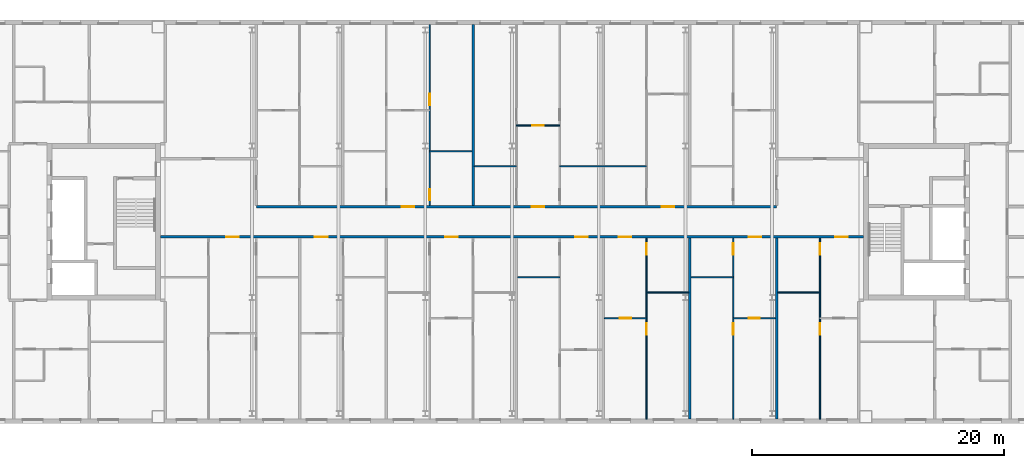
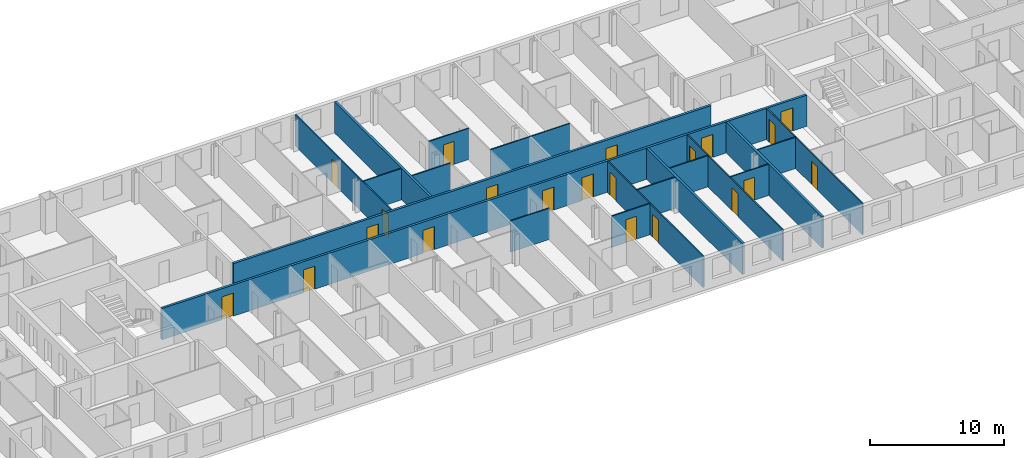
# One storey, part 11 of 19: 21 doors, 19 walls, 21 openings.
"""IFC4 building model written with IfcOpenShell, lengths in metres."""

from ifc_helpers import new_model, si_unit, direction, frame, frame_2d, origin, place, context, subcontext, project, spatial, rectangle, extrude, material, layer, layer_set, type_object, element, fill, save


model = new_model("IFC4")

# Units and contexts
model_context = context("Model", 3, precision=1e-05, world=origin(), true_north=direction((0.0, 1.0)))
body_context = subcontext(model_context, "Body", "Model", "MODEL_VIEW")
ifc_project = project(units=[si_unit("LENGTHUNIT", "METRE"), si_unit("AREAUNIT", "SQUARE_METRE"), si_unit("VOLUMEUNIT", "CUBIC_METRE"), si_unit("PLANEANGLEUNIT", "RADIAN"), si_unit("MASSUNIT", "GRAM", prefix="KILO")], contexts=[model_context])

# Site, building, storey
site_placement = place(None, origin())
site = spatial("IfcSite", under=ifc_project, at=site_placement, CompositionType="ELEMENT")
building_placement = place(site_placement, origin())
building = spatial("IfcBuilding", under=site, at=building_placement, Name="Tuart Gate Housing", CompositionType="ELEMENT")
storey_placement = place(building_placement, frame((0.0, 0.0, 230.699951171875)))
storey = spatial("IfcBuildingStorey", under=building, at=storey_placement, Name="L65", CompositionType="ELEMENT", Elevation=230.699951171875)

# Wall, openings, doors
ifc_material_1 = material(Name="Concrete masonry 15 MPa", Category="masonry")
ifc_layer_1 = layer(ifc_material_1, 0.199951171875)
ifc_layer_set_1 = layer_set([ifc_layer_1], Name="Corridor wall masonry 200")
wall_type_1 = type_object("IfcWallType", Name="Corridor wall masonry 200", PredefinedType="PARTITIONING", material=ifc_layer_set_1)
wall_1_placement = place(storey_placement, frame((75.639892578125, 68.800048828125, 0.0), z_axis=(0.0, 0.0, 1.0), x_axis=(1.0, 0.0, 0.0)))
wall_1 = element("IfcWall", 1, at=wall_1_placement, inside=storey, type_object=wall_type_1, Name="Corridor wall masonry 200", PredefinedType="PARTITIONING", context=body_context, shape_type="SweptSolid", body=[
    extrude(rectangle(XDim=55.72021484375, YDim=0.199951171875, at=frame_2d((27.860107421875, 0.0))), origin(), (0.0, 0.0, 1.0), 2.85009765625),
])
opening_1_placement = place(wall_1_placement, frame((5.19140625, 0.0, 0.0)))
opening_1 = element("IfcOpeningElement", 2, at=opening_1_placement, cuts=wall_1, Name="Opening D2525", PredefinedType="OPENING", context=body_context, shape_type="SweptSolid", body=[
    extrude(rectangle(XDim=1.0, YDim=2.10009765625, at=frame_2d((0.5, 1.050048828125))), frame((0.0, 0.10986328125, 0.0), z_axis=(0.0, -1.0, 0.0), x_axis=(1.0, 0.0, 0.0)), (0.0, 0.0, 1.0), 0.219970703125),
])
opening_2_placement = place(wall_1_placement, frame((12.240966796875, 0.0, 0.0)))
opening_2 = element("IfcOpeningElement", 3, at=opening_2_placement, cuts=wall_1, Name="Opening D2526", PredefinedType="OPENING", context=body_context, shape_type="SweptSolid", body=[
    extrude(rectangle(XDim=1.0, YDim=2.10009765625, at=frame_2d((0.5, 1.050048828125))), frame((0.0, 0.10986328125, 0.0), z_axis=(0.0, -1.0, 0.0), x_axis=(1.0, 0.0, 0.0)), (0.0, 0.0, 1.0), 0.219970703125),
])
opening_3_placement = place(wall_1_placement, frame((22.553466796875, 0.0, 0.0)))
opening_3 = element("IfcOpeningElement", 4, at=opening_3_placement, cuts=wall_1, Name="Opening D2527", PredefinedType="OPENING", context=body_context, shape_type="SweptSolid", body=[
    extrude(rectangle(XDim=1.0, YDim=2.10009765625, at=frame_2d((0.5, 1.050048828125))), frame((0.0, 0.10986328125, 0.0), z_axis=(0.0, -1.0, 0.0), x_axis=(1.0, 0.0, 0.0)), (0.0, 0.0, 1.0), 0.219970703125),
])
opening_4_placement = place(wall_1_placement, frame((32.865966796875, 0.0, 0.0)))
opening_4 = element("IfcOpeningElement", 5, at=opening_4_placement, cuts=wall_1, Name="Opening D2528", PredefinedType="OPENING", context=body_context, shape_type="SweptSolid", body=[
    extrude(rectangle(XDim=1.0, YDim=2.10009765625, at=frame_2d((0.5, 1.050048828125))), frame((0.0, 0.10986328125, 0.0), z_axis=(0.0, -1.0, 0.0), x_axis=(1.0, 0.0, 0.0)), (0.0, 0.0, 1.0), 0.219970703125),
])
opening_5_placement = place(wall_1_placement, frame((36.303466796875, 0.0, 0.0)))
opening_5 = element("IfcOpeningElement", 6, at=opening_5_placement, cuts=wall_1, Name="Opening D2529", PredefinedType="OPENING", context=body_context, shape_type="SweptSolid", body=[
    extrude(rectangle(XDim=1.0, YDim=2.10009765625, at=frame_2d((0.5, 1.050048828125))), frame((0.0, 0.10986328125, 0.0), z_axis=(0.0, -1.0, 0.0), x_axis=(1.0, 0.0, 0.0)), (0.0, 0.0, 1.0), 0.219970703125),
])
opening_6_placement = place(wall_1_placement, frame((46.615966796875, 0.0, 0.0)))
opening_6 = element("IfcOpeningElement", 7, at=opening_6_placement, cuts=wall_1, Name="Opening D2530", PredefinedType="OPENING", context=body_context, shape_type="SweptSolid", body=[
    extrude(rectangle(XDim=1.0, YDim=2.10009765625, at=frame_2d((0.5, 1.050048828125))), frame((0.0, 0.10986328125, 0.0), z_axis=(0.0, -1.0, 0.0), x_axis=(1.0, 0.0, 0.0)), (0.0, 0.0, 1.0), 0.219970703125),
])
opening_7_placement = place(wall_1_placement, frame((53.49609375, 0.0, 0.0)))
opening_7 = element("IfcOpeningElement", 8, at=opening_7_placement, cuts=wall_1, Name="Opening D2531", PredefinedType="OPENING", context=body_context, shape_type="SweptSolid", body=[
    extrude(rectangle(XDim=1.0, YDim=2.10009765625, at=frame_2d((0.5, 1.050048828125))), frame((0.0, 0.10986328125, 0.0), z_axis=(0.0, -1.0, 0.0), x_axis=(1.0, 0.0, 0.0)), (0.0, 0.0, 1.0), 0.219970703125),
])
ifc_material_2 = material(Name="Timber door leaf in steel frame", Category="steel")
door_type_1 = type_object("IfcDoorType", Name="Flat entrance door 1000 RH", OperationType="SINGLE_SWING_RIGHT", PredefinedType="DOOR", material=ifc_material_2)
door_1_placement = place(opening_1_placement, frame((1.0, 0.0, 0.0), z_axis=(0.0, 0.0, 1.0), x_axis=(-1.0, 0.0, 0.0)))
door_1 = element("IfcDoor", 9, at=door_1_placement, inside=storey, type_object=door_type_1, Name="Flat entrance door", OperationType="SINGLE_SWING_RIGHT", OverallHeight=2.10009765625, OverallWidth=1.0, PredefinedType="DOOR", context=body_context, shape_type="SweptSolid", body=[
    extrude(rectangle(XDim=1.0, YDim=2.10009765625, at=frame_2d((0.5, 1.050048828125))), frame((0.0, 0.025146484375, 0.0), z_axis=(0.0, -1.0, 0.0), x_axis=(1.0, 0.0, 0.0)), (0.0, 0.0, 1.0), 0.050048828125),
])
fill(opening_1, door_1)
door_2_placement = place(opening_2_placement, frame((1.0, 0.0, 0.0), z_axis=(0.0, 0.0, 1.0), x_axis=(-1.0, 0.0, 0.0)))
door_2 = element("IfcDoor", 10, at=door_2_placement, inside=storey, type_object=door_type_1, Name="Flat entrance door", OperationType="SINGLE_SWING_RIGHT", OverallHeight=2.10009765625, OverallWidth=1.0, PredefinedType="DOOR", context=body_context, shape_type="SweptSolid", body=[
    extrude(rectangle(XDim=1.0, YDim=2.10009765625, at=frame_2d((0.5, 1.050048828125))), frame((0.0, 0.025146484375, 0.0), z_axis=(0.0, -1.0, 0.0), x_axis=(1.0, 0.0, 0.0)), (0.0, 0.0, 1.0), 0.050048828125),
])
fill(opening_2, door_2)
door_3_placement = place(opening_3_placement, frame((1.0, 0.0, 0.0), z_axis=(0.0, 0.0, 1.0), x_axis=(-1.0, 0.0, 0.0)))
door_3 = element("IfcDoor", 11, at=door_3_placement, inside=storey, type_object=door_type_1, Name="Flat entrance door", OperationType="SINGLE_SWING_RIGHT", OverallHeight=2.10009765625, OverallWidth=1.0, PredefinedType="DOOR", context=body_context, shape_type="SweptSolid", body=[
    extrude(rectangle(XDim=1.0, YDim=2.10009765625, at=frame_2d((0.5, 1.050048828125))), frame((0.0, 0.025146484375, 0.0), z_axis=(0.0, -1.0, 0.0), x_axis=(1.0, 0.0, 0.0)), (0.0, 0.0, 1.0), 0.050048828125),
])
fill(opening_3, door_3)
door_4_placement = place(opening_4_placement, frame((1.0, 0.0, 0.0), z_axis=(0.0, 0.0, 1.0), x_axis=(-1.0, 0.0, 0.0)))
door_4 = element("IfcDoor", 12, at=door_4_placement, inside=storey, type_object=door_type_1, Name="Flat entrance door", OperationType="SINGLE_SWING_RIGHT", OverallHeight=2.10009765625, OverallWidth=1.0, PredefinedType="DOOR", context=body_context, shape_type="SweptSolid", body=[
    extrude(rectangle(XDim=1.0, YDim=2.10009765625, at=frame_2d((0.5, 1.050048828125))), frame((0.0, 0.025146484375, 0.0), z_axis=(0.0, -1.0, 0.0), x_axis=(1.0, 0.0, 0.0)), (0.0, 0.0, 1.0), 0.050048828125),
])
fill(opening_4, door_4)
door_5_placement = place(opening_5_placement, frame((1.0, 0.0, 0.0), z_axis=(0.0, 0.0, 1.0), x_axis=(-1.0, 0.0, 0.0)))
door_5 = element("IfcDoor", 13, at=door_5_placement, inside=storey, type_object=door_type_1, Name="Flat entrance door", OperationType="SINGLE_SWING_RIGHT", OverallHeight=2.10009765625, OverallWidth=1.0, PredefinedType="DOOR", context=body_context, shape_type="SweptSolid", body=[
    extrude(rectangle(XDim=1.0, YDim=2.10009765625, at=frame_2d((0.5, 1.050048828125))), frame((0.0, 0.025146484375, 0.0), z_axis=(0.0, -1.0, 0.0), x_axis=(1.0, 0.0, 0.0)), (0.0, 0.0, 1.0), 0.050048828125),
])
fill(opening_5, door_5)
door_6_placement = place(opening_6_placement, frame((1.0, 0.0, 0.0), z_axis=(0.0, 0.0, 1.0), x_axis=(-1.0, 0.0, 0.0)))
door_6 = element("IfcDoor", 14, at=door_6_placement, inside=storey, type_object=door_type_1, Name="Flat entrance door", OperationType="SINGLE_SWING_RIGHT", OverallHeight=2.10009765625, OverallWidth=1.0, PredefinedType="DOOR", context=body_context, shape_type="SweptSolid", body=[
    extrude(rectangle(XDim=1.0, YDim=2.10009765625, at=frame_2d((0.5, 1.050048828125))), frame((0.0, 0.025146484375, 0.0), z_axis=(0.0, -1.0, 0.0), x_axis=(1.0, 0.0, 0.0)), (0.0, 0.0, 1.0), 0.050048828125),
])
fill(opening_6, door_6)
door_7_placement = place(opening_7_placement, frame((1.0, 0.0, 0.0), z_axis=(0.0, 0.0, 1.0), x_axis=(-1.0, 0.0, 0.0)))
door_7 = element("IfcDoor", 15, at=door_7_placement, inside=storey, type_object=door_type_1, Name="Flat entrance door", OperationType="SINGLE_SWING_RIGHT", OverallHeight=2.10009765625, OverallWidth=1.0, PredefinedType="DOOR", context=body_context, shape_type="SweptSolid", body=[
    extrude(rectangle(XDim=1.0, YDim=2.10009765625, at=frame_2d((0.5, 1.050048828125))), frame((0.0, 0.025146484375, 0.0), z_axis=(0.0, -1.0, 0.0), x_axis=(1.0, 0.0, 0.0)), (0.0, 0.0, 1.0), 0.050048828125),
])
fill(opening_7, door_7)

wall_2_placement = place(storey_placement, frame((83.22509765625, 71.199951171875, 0.0), z_axis=(0.0, 0.0, 1.0), x_axis=(1.0, 0.0, 0.0)))
wall_2 = element("IfcWall", 16, at=wall_2_placement, inside=storey, type_object=wall_type_1, Name="Corridor wall masonry 200", PredefinedType="PARTITIONING", context=body_context, shape_type="SweptSolid", body=[
    extrude(rectangle(XDim=41.25, YDim=0.199951171875, at=frame_2d((20.625, 0.0))), origin(), (0.0, 0.0, 1.0), 2.85009765625),
])
opening_8_placement = place(wall_2_placement, frame((11.531005859375, 0.0, 0.0)))
opening_8 = element("IfcOpeningElement", 17, at=opening_8_placement, cuts=wall_2, Name="Opening D2522", PredefinedType="OPENING", context=body_context, shape_type="SweptSolid", body=[
    extrude(rectangle(XDim=1.0, YDim=2.10009765625, at=frame_2d((0.5, 1.050048828125))), frame((0.0, 0.10986328125, 0.0), z_axis=(0.0, -1.0, 0.0), x_axis=(1.0, 0.0, 0.0)), (0.0, 0.0, 1.0), 0.219970703125),
])
opening_9_placement = place(wall_2_placement, frame((21.843505859375, 0.0, 0.0)))
opening_9 = element("IfcOpeningElement", 18, at=opening_9_placement, cuts=wall_2, Name="Opening D2523", PredefinedType="OPENING", context=body_context, shape_type="SweptSolid", body=[
    extrude(rectangle(XDim=1.0, YDim=2.10009765625, at=frame_2d((0.5, 1.050048828125))), frame((0.0, 0.10986328125, 0.0), z_axis=(0.0, -1.0, 0.0), x_axis=(1.0, 0.0, 0.0)), (0.0, 0.0, 1.0), 0.219970703125),
])
opening_10_placement = place(wall_2_placement, frame((32.156005859375, 0.0, 0.0)))
opening_10 = element("IfcOpeningElement", 19, at=opening_10_placement, cuts=wall_2, Name="Opening D2524", PredefinedType="OPENING", context=body_context, shape_type="SweptSolid", body=[
    extrude(rectangle(XDim=1.0, YDim=2.10009765625, at=frame_2d((0.5, 1.050048828125))), frame((0.0, 0.10986328125, 0.0), z_axis=(0.0, -1.0, 0.0), x_axis=(1.0, 0.0, 0.0)), (0.0, 0.0, 1.0), 0.219970703125),
])
ifc_material_3 = material(Name="Timber door leaf in steel frame", Category="steel")
door_type_2 = type_object("IfcDoorType", Name="Flat entrance door 1000", OperationType="SINGLE_SWING_LEFT", PredefinedType="DOOR", material=ifc_material_3)
door_8_placement = place(opening_8_placement, origin())
door_8 = element("IfcDoor", 20, at=door_8_placement, inside=storey, type_object=door_type_2, Name="Flat entrance door", OperationType="SINGLE_SWING_LEFT", OverallHeight=2.10009765625, OverallWidth=1.0, PredefinedType="DOOR", context=body_context, shape_type="SweptSolid", body=[
    extrude(rectangle(XDim=1.0, YDim=2.10009765625, at=frame_2d((0.5, 1.050048828125))), frame((0.0, 0.02490234375, 0.0), z_axis=(0.0, -1.0, 0.0), x_axis=(1.0, 0.0, 0.0)), (0.0, 0.0, 1.0), 0.050048828125),
])
fill(opening_8, door_8)
door_9_placement = place(opening_9_placement, origin())
door_9 = element("IfcDoor", 21, at=door_9_placement, inside=storey, type_object=door_type_2, Name="Flat entrance door", OperationType="SINGLE_SWING_LEFT", OverallHeight=2.10009765625, OverallWidth=1.0, PredefinedType="DOOR", context=body_context, shape_type="SweptSolid", body=[
    extrude(rectangle(XDim=1.0, YDim=2.10009765625, at=frame_2d((0.5, 1.050048828125))), frame((0.0, 0.02490234375, 0.0), z_axis=(0.0, -1.0, 0.0), x_axis=(1.0, 0.0, 0.0)), (0.0, 0.0, 1.0), 0.050048828125),
])
fill(opening_9, door_9)
door_10_placement = place(opening_10_placement, origin())
door_10 = element("IfcDoor", 22, at=door_10_placement, inside=storey, type_object=door_type_2, Name="Flat entrance door", OperationType="SINGLE_SWING_LEFT", OverallHeight=2.10009765625, OverallWidth=1.0, PredefinedType="DOOR", context=body_context, shape_type="SweptSolid", body=[
    extrude(rectangle(XDim=1.0, YDim=2.10009765625, at=frame_2d((0.5, 1.050048828125))), frame((0.0, 0.02490234375, 0.0), z_axis=(0.0, -1.0, 0.0), x_axis=(1.0, 0.0, 0.0)), (0.0, 0.0, 1.0), 0.050048828125),
])
fill(opening_10, door_10)

# Wall, opening, door
ifc_material_4 = material(Name="Gypsum board on steel studs", Category="steel")
ifc_layer_2 = layer(ifc_material_4, 0.10009765625)
ifc_layer_set_2 = layer_set([ifc_layer_2], Name="Partition 100")
wall_type_2 = type_object("IfcWallType", Name="Partition 100", PredefinedType="PARTITIONING", material=ifc_layer_set_2)
wall_3_placement = place(storey_placement, frame((110.824951171875, 62.360107421875, 0.0), z_axis=(0.0, 0.0, 1.0), x_axis=(1.0, 0.0, 0.0)))
wall_3 = element("IfcWall", 23, at=wall_3_placement, inside=storey, type_object=wall_type_2, Name="Partition 100", PredefinedType="PARTITIONING", context=body_context, shape_type="SweptSolid", body=[
    extrude(rectangle(XDim=3.337158203125, YDim=0.10009765625, at=frame_2d((1.66845703125, 0.0))), origin(), (0.0, 0.0, 1.0), 2.85009765625),
])
opening_11_placement = place(wall_3_placement, frame((1.218505859375, 0.0, 0.0)))
opening_11 = element("IfcOpeningElement", 24, at=opening_11_placement, cuts=wall_3, Name="Opening D2533", PredefinedType="OPENING", context=body_context, shape_type="SweptSolid", body=[
    extrude(rectangle(XDim=0.89990234375, YDim=2.10009765625, at=frame_2d((0.449951171875, 1.050048828125))), frame((0.0, 0.06005859375, 0.0), z_axis=(0.0, -1.0, 0.0), x_axis=(1.0, 0.0, 0.0)), (0.0, 0.0, 1.0), 0.1201171875),
])
ifc_material_5 = material(Name="Timber door leaf in steel frame", Category="steel")
door_type_3 = type_object("IfcDoorType", Name="Internal door 900 RH", OperationType="SINGLE_SWING_RIGHT", PredefinedType="DOOR", material=ifc_material_5)
door_11_placement = place(opening_11_placement, origin())
door_11 = element("IfcDoor", 25, at=door_11_placement, inside=storey, type_object=door_type_3, Name="Internal door", OperationType="SINGLE_SWING_RIGHT", OverallHeight=2.10009765625, OverallWidth=0.89990234375, PredefinedType="DOOR", context=body_context, shape_type="SweptSolid", body=[
    extrude(rectangle(XDim=0.89990234375, YDim=2.10009765625, at=frame_2d((0.449951171875, 1.050048828125))), frame((0.0, 0.02490234375, 0.0), z_axis=(0.0, -1.0, 0.0), x_axis=(1.0, 0.0, 0.0)), (0.0, 0.0, 1.0), 0.050048828125),
])
fill(opening_11, door_11)

wall_4_placement = place(storey_placement, frame((121.037109375, 62.360107421875, 0.0), z_axis=(0.0, 0.0, 1.0), x_axis=(1.0, 0.0, 0.0)))
wall_4 = element("IfcWall", 26, at=wall_4_placement, inside=storey, type_object=wall_type_2, Name="Partition 100", PredefinedType="PARTITIONING", context=body_context, shape_type="SweptSolid", body=[
    extrude(rectangle(XDim=3.337890625, YDim=0.10009765625, at=frame_2d((1.6689453125, 0.0))), origin(), (0.0, 0.0, 1.0), 2.85009765625),
])
opening_12_placement = place(wall_4_placement, frame((1.218994140625, 0.0, 0.0)))
opening_12 = element("IfcOpeningElement", 27, at=opening_12_placement, cuts=wall_4, Name="Opening D2534", PredefinedType="OPENING", context=body_context, shape_type="SweptSolid", body=[
    extrude(rectangle(XDim=0.89990234375, YDim=2.10009765625, at=frame_2d((0.449951171875, 1.050048828125))), frame((0.0, 0.06005859375, 0.0), z_axis=(0.0, -1.0, 0.0), x_axis=(1.0, 0.0, 0.0)), (0.0, 0.0, 1.0), 0.1201171875),
])
ifc_material_6 = material(Name="Timber door leaf in steel frame", Category="steel")
door_type_4 = type_object("IfcDoorType", Name="Internal door 900", OperationType="SINGLE_SWING_LEFT", PredefinedType="DOOR", material=ifc_material_6)
door_12_placement = place(opening_12_placement, origin())
door_12 = element("IfcDoor", 28, at=door_12_placement, inside=storey, type_object=door_type_4, Name="Internal door", OperationType="SINGLE_SWING_LEFT", OverallHeight=2.10009765625, OverallWidth=0.89990234375, PredefinedType="DOOR", context=body_context, shape_type="SweptSolid", body=[
    extrude(rectangle(XDim=0.89990234375, YDim=2.10009765625, at=frame_2d((0.449951171875, 1.050048828125))), frame((0.0, 0.02490234375, 0.0), z_axis=(0.0, -1.0, 0.0), x_axis=(1.0, 0.0, 0.0)), (0.0, 0.0, 1.0), 0.050048828125),
])
fill(opening_12, door_12)

# Walls
wall_5_placement = place(storey_placement, frame((114.162109375, 64.39990234375, 0.0), z_axis=(0.0, 0.0, 1.0), x_axis=(1.0, 0.0, 0.0)))
element("IfcWall", 29, at=wall_5_placement, inside=storey, type_object=wall_type_2, Name="Partition 100", PredefinedType="PARTITIONING", context=body_context, shape_type="SweptSolid", body=[
    extrude(rectangle(XDim=3.337890625, YDim=0.10009765625, at=frame_2d((1.6689453125, 0.0))), origin(), (0.0, 0.0, 1.0), 2.85009765625),
])
for number, where, z_axis, x_axis, name in (
    (30, (124.574951171875, 64.39990234375, 0.0), (0.0, 0.0, 1.0), (1.0, 0.0, 0.0), "Partition 100"),
    (31, (103.949951171875, 65.60009765625, 0.0), (0.0, 0.0, 1.0), (1.0, 0.0, 0.0), "Partition 100"),
    (32, (117.699951171875, 65.60009765625, 0.0), (0.0, 0.0, 1.0), (1.0, 0.0, 0.0), "Partition 100"),
):
    element("IfcWall", number, at=place(storey_placement, frame(where, z_axis=z_axis, x_axis=x_axis)), inside=storey, type_object=wall_type_2, Name=name, PredefinedType="PARTITIONING", context=body_context, shape_type="SweptSolid", body=[
        extrude(rectangle(XDim=3.337158203125, YDim=0.10009765625, at=frame_2d((1.66845703125, 0.0))), origin(), (0.0, 0.0, 1.0), 2.85009765625),
    ])
wall_6_placement = place(storey_placement, frame((100.511962890625, 74.39990234375, 0.0), z_axis=(0.0, 0.0, 1.0), x_axis=(1.0, 0.0, 0.0)))
element("IfcWall", 33, at=wall_6_placement, inside=storey, type_object=wall_type_2, Name="Partition 100", PredefinedType="PARTITIONING", context=body_context, shape_type="SweptSolid", body=[
    extrude(rectangle(XDim=3.338134765625, YDim=0.10009765625, at=frame_2d((1.6689453125, 0.0))), origin(), (0.0, 0.0, 1.0), 2.85009765625),
])
wall_7_placement = place(storey_placement, frame((107.287109375, 74.39990234375, 0.0), z_axis=(0.0, 0.0, 1.0), x_axis=(1.0, 0.0, 0.0)))
element("IfcWall", 34, at=wall_7_placement, inside=storey, type_object=wall_type_2, Name="Partition 100", PredefinedType="PARTITIONING", context=body_context, shape_type="SweptSolid", body=[
    extrude(rectangle(XDim=6.875, YDim=0.10009765625, at=frame_2d((3.4375, 0.0))), origin(), (0.0, 0.0, 1.0), 2.85009765625),
])
wall_8_placement = place(storey_placement, frame((96.97509765625, 75.60009765625, 0.0), z_axis=(0.0, 0.0, 1.0), x_axis=(1.0, 0.0, 0.0)))
element("IfcWall", 35, at=wall_8_placement, inside=storey, type_object=wall_type_2, Name="Partition 100", PredefinedType="PARTITIONING", context=body_context, shape_type="SweptSolid", body=[
    extrude(rectangle(XDim=3.3369140625, YDim=0.10009765625, at=frame_2d((1.66845703125, 0.0))), origin(), (0.0, 0.0, 1.0), 2.85009765625),
])

# Wall, opening, door
wall_9_placement = place(storey_placement, frame((103.85009765625, 77.639892578125, 0.0), z_axis=(0.0, 0.0, 1.0), x_axis=(1.0, 0.0, 0.0)))
wall_9 = element("IfcWall", 36, at=wall_9_placement, inside=storey, type_object=wall_type_2, Name="Partition 100", PredefinedType="PARTITIONING", context=body_context, shape_type="SweptSolid", body=[
    extrude(rectangle(XDim=3.43701171875, YDim=0.10009765625, at=frame_2d((1.718505859375, 0.0))), origin(), (0.0, 0.0, 1.0), 2.85009765625),
])
opening_13_placement = place(wall_9_placement, frame((1.2685546875, 0.0, 0.0)))
opening_13 = element("IfcOpeningElement", 37, at=opening_13_placement, cuts=wall_9, Name="Opening D2517", PredefinedType="OPENING", context=body_context, shape_type="SweptSolid", body=[
    extrude(rectangle(XDim=0.89990234375, YDim=2.10009765625, at=frame_2d((0.449951171875, 1.050048828125))), frame((0.0, 0.06005859375, 0.0), z_axis=(0.0, -1.0, 0.0), x_axis=(1.0, 0.0, 0.0)), (0.0, 0.0, 1.0), 0.1201171875),
])
door_13_placement = place(opening_13_placement, frame((0.89990234375, 0.0, 0.0), z_axis=(0.0, 0.0, 1.0), x_axis=(-1.0, 0.0, 0.0)))
door_13 = element("IfcDoor", 38, at=door_13_placement, inside=storey, type_object=door_type_3, Name="Internal door", OperationType="SINGLE_SWING_RIGHT", OverallHeight=2.10009765625, OverallWidth=0.89990234375, PredefinedType="DOOR", context=body_context, shape_type="SweptSolid", body=[
    extrude(rectangle(XDim=0.89990234375, YDim=2.10009765625, at=frame_2d((0.449951171875, 1.050048828125))), frame((0.0, 0.025146484375, 0.0), z_axis=(0.0, -1.0, 0.0), x_axis=(1.0, 0.0, 0.0)), (0.0, 0.0, 1.0), 0.050048828125),
])
fill(opening_13, door_13)

# Wall, openings, doors
wall_10_placement = place(storey_placement, frame((96.97509765625, 71.300048828125, 0.0), z_axis=(0.0, 0.0, 1.0), x_axis=(0.0, 1.0, 0.0)))
wall_10 = element("IfcWall", 39, at=wall_10_placement, inside=storey, type_object=wall_type_2, Name="Partition 100", PredefinedType="PARTITIONING", context=body_context, shape_type="SweptSolid", body=[
    extrude(rectangle(XDim=14.33984375, YDim=0.10009765625, at=frame_2d((7.169921875, 0.0))), origin(), (0.0, 0.0, 1.0), 2.85009765625),
])
opening_14_placement = place(wall_10_placement, frame((7.93994140625, 0.0, 0.0)))
opening_14 = element("IfcOpeningElement", 40, at=opening_14_placement, cuts=wall_10, Name="Opening D2508", PredefinedType="OPENING", context=body_context, shape_type="SweptSolid", body=[
    extrude(rectangle(XDim=0.89990234375, YDim=2.10009765625, at=frame_2d((0.449951171875, 1.050048828125))), frame((0.0, 0.06005859375, 0.0), z_axis=(0.0, -1.0, 0.0), x_axis=(1.0, 0.0, 0.0)), (0.0, 0.0, 1.0), 0.1201171875),
])
opening_15_placement = place(wall_10_placement, frame((0.39990234375, 0.0, 0.0)))
opening_15 = element("IfcOpeningElement", 41, at=opening_15_placement, cuts=wall_10, Name="Opening D2507", PredefinedType="OPENING", context=body_context, shape_type="SweptSolid", body=[
    extrude(rectangle(XDim=0.89990234375, YDim=2.10009765625, at=frame_2d((0.449951171875, 1.050048828125))), frame((0.0, 0.06005859375, 0.0), z_axis=(0.0, -1.0, 0.0), x_axis=(1.0, 0.0, 0.0)), (0.0, 0.0, 1.0), 0.1201171875),
])
ifc_material_7 = material(Name="Timber door leaf in steel frame", Category="steel")
door_type_5 = type_object("IfcDoorType", Name="Bathroom door 900 RH", OperationType="SINGLE_SWING_RIGHT", PredefinedType="DOOR", material=ifc_material_7)
door_14_placement = place(opening_15_placement, frame((0.89990234375, 0.0, 0.0), z_axis=(0.0, 0.0, 1.0), x_axis=(-1.0, 0.0, 0.0)))
door_14 = element("IfcDoor", 42, at=door_14_placement, inside=storey, type_object=door_type_5, Name="Bathroom door", OperationType="SINGLE_SWING_RIGHT", OverallHeight=2.10009765625, OverallWidth=0.89990234375, PredefinedType="DOOR", context=body_context, shape_type="SweptSolid", body=[
    extrude(rectangle(XDim=0.89990234375, YDim=2.10009765625, at=frame_2d((0.449951171875, 1.050048828125))), frame((0.0, 0.025146484375, 0.0), z_axis=(0.0, -1.0, 0.0), x_axis=(1.0, 0.0, 0.0)), (0.0, 0.0, 1.0), 0.050048828125),
])
fill(opening_15, door_14)
door_15_placement = place(opening_14_placement, frame((0.89990234375, 0.0, 0.0), z_axis=(0.0, 0.0, 1.0), x_axis=(-1.0, 0.0, 0.0)))
door_15 = element("IfcDoor", 43, at=door_15_placement, inside=storey, type_object=door_type_3, Name="Internal door", OperationType="SINGLE_SWING_RIGHT", OverallHeight=2.10009765625, OverallWidth=0.89990234375, PredefinedType="DOOR", context=body_context, shape_type="SweptSolid", body=[
    extrude(rectangle(XDim=0.89990234375, YDim=2.10009765625, at=frame_2d((0.449951171875, 1.050048828125))), frame((0.0, 0.025146484375, 0.0), z_axis=(0.0, -1.0, 0.0), x_axis=(1.0, 0.0, 0.0)), (0.0, 0.0, 1.0), 0.050048828125),
])
fill(opening_14, door_15)

wall_11_placement = place(storey_placement, frame((114.162109375, 54.360107421875, 0.0), z_axis=(0.0, 0.0, 1.0), x_axis=(0.0, 1.0, 0.0)))
wall_11 = element("IfcWall", 44, at=wall_11_placement, inside=storey, type_object=wall_type_2, Name="Partition 100", PredefinedType="PARTITIONING", context=body_context, shape_type="SweptSolid", body=[
    extrude(rectangle(XDim=14.33984375, YDim=0.10009765625, at=frame_2d((7.169921875, 0.0))), origin(), (0.0, 0.0, 1.0), 2.85009765625),
])
opening_16_placement = place(wall_11_placement, frame((6.699951171875, 0.0, 0.0)))
opening_16 = element("IfcOpeningElement", 45, at=opening_16_placement, cuts=wall_11, Name="Opening D2549", PredefinedType="OPENING", context=body_context, shape_type="SweptSolid", body=[
    extrude(rectangle(XDim=0.89990234375, YDim=2.10009765625, at=frame_2d((0.449951171875, 1.050048828125))), frame((0.0, 0.06005859375, 0.0), z_axis=(0.0, -1.0, 0.0), x_axis=(1.0, 0.0, 0.0)), (0.0, 0.0, 1.0), 0.1201171875),
])
opening_17_placement = place(wall_11_placement, frame((13.0400390625, 0.0, 0.0)))
opening_17 = element("IfcOpeningElement", 46, at=opening_17_placement, cuts=wall_11, Name="Opening D2548", PredefinedType="OPENING", context=body_context, shape_type="SweptSolid", body=[
    extrude(rectangle(XDim=0.89990234375, YDim=2.10009765625, at=frame_2d((0.449951171875, 1.050048828125))), frame((0.0, 0.06005859375, 0.0), z_axis=(0.0, -1.0, 0.0), x_axis=(1.0, 0.0, 0.0)), (0.0, 0.0, 1.0), 0.1201171875),
])
ifc_material_8 = material(Name="Timber door leaf in steel frame", Category="steel")
door_type_6 = type_object("IfcDoorType", Name="Bathroom door 900", OperationType="SINGLE_SWING_LEFT", PredefinedType="DOOR", material=ifc_material_8)
door_16_placement = place(opening_17_placement, frame((0.89990234375, 0.0, 0.0), z_axis=(0.0, 0.0, 1.0), x_axis=(-1.0, 0.0, 0.0)))
door_16 = element("IfcDoor", 47, at=door_16_placement, inside=storey, type_object=door_type_6, Name="Bathroom door", OperationType="SINGLE_SWING_LEFT", OverallHeight=2.10009765625, OverallWidth=0.89990234375, PredefinedType="DOOR", context=body_context, shape_type="SweptSolid", body=[
    extrude(rectangle(XDim=0.89990234375, YDim=2.10009765625, at=frame_2d((0.449951171875, 1.050048828125))), frame((0.0, 0.025146484375, 0.0), z_axis=(0.0, -1.0, 0.0), x_axis=(1.0, 0.0, 0.0)), (0.0, 0.0, 1.0), 0.050048828125),
])
fill(opening_17, door_16)
door_17_placement = place(opening_16_placement, frame((0.89990234375, 0.0, 0.0), z_axis=(0.0, 0.0, 1.0), x_axis=(-1.0, 0.0, 0.0)))
door_17 = element("IfcDoor", 48, at=door_17_placement, inside=storey, type_object=door_type_4, Name="Internal door", OperationType="SINGLE_SWING_LEFT", OverallHeight=2.10009765625, OverallWidth=0.89990234375, PredefinedType="DOOR", context=body_context, shape_type="SweptSolid", body=[
    extrude(rectangle(XDim=0.89990234375, YDim=2.10009765625, at=frame_2d((0.449951171875, 1.050048828125))), frame((0.0, 0.025146484375, 0.0), z_axis=(0.0, -1.0, 0.0), x_axis=(1.0, 0.0, 0.0)), (0.0, 0.0, 1.0), 0.050048828125),
])
fill(opening_16, door_17)

wall_12_placement = place(storey_placement, frame((121.037109375, 54.360107421875, 0.0), z_axis=(0.0, 0.0, 1.0), x_axis=(0.0, 1.0, 0.0)))
wall_12 = element("IfcWall", 49, at=wall_12_placement, inside=storey, type_object=wall_type_2, Name="Partition 100", PredefinedType="PARTITIONING", context=body_context, shape_type="SweptSolid", body=[
    extrude(rectangle(XDim=14.33984375, YDim=0.10009765625, at=frame_2d((7.169921875, 0.0))), origin(), (0.0, 0.0, 1.0), 2.85009765625),
])
opening_18_placement = place(wall_12_placement, frame((6.699951171875, 0.0, 0.0)))
opening_18 = element("IfcOpeningElement", 50, at=opening_18_placement, cuts=wall_12, Name="Opening D2551", PredefinedType="OPENING", context=body_context, shape_type="SweptSolid", body=[
    extrude(rectangle(XDim=0.89990234375, YDim=2.10009765625, at=frame_2d((0.449951171875, 1.050048828125))), frame((0.0, 0.06005859375, 0.0), z_axis=(0.0, -1.0, 0.0), x_axis=(1.0, 0.0, 0.0)), (0.0, 0.0, 1.0), 0.1201171875),
])
opening_19_placement = place(wall_12_placement, frame((13.0400390625, 0.0, 0.0)))
opening_19 = element("IfcOpeningElement", 51, at=opening_19_placement, cuts=wall_12, Name="Opening D2550", PredefinedType="OPENING", context=body_context, shape_type="SweptSolid", body=[
    extrude(rectangle(XDim=0.89990234375, YDim=2.10009765625, at=frame_2d((0.449951171875, 1.050048828125))), frame((0.0, 0.06005859375, 0.0), z_axis=(0.0, -1.0, 0.0), x_axis=(1.0, 0.0, 0.0)), (0.0, 0.0, 1.0), 0.1201171875),
])
door_18_placement = place(opening_19_placement, origin())
door_18 = element("IfcDoor", 52, at=door_18_placement, inside=storey, type_object=door_type_5, Name="Bathroom door", OperationType="SINGLE_SWING_RIGHT", OverallHeight=2.10009765625, OverallWidth=0.89990234375, PredefinedType="DOOR", context=body_context, shape_type="SweptSolid", body=[
    extrude(rectangle(XDim=0.89990234375, YDim=2.10009765625, at=frame_2d((0.449951171875, 1.050048828125))), frame((0.0, 0.02490234375, 0.0), z_axis=(0.0, -1.0, 0.0), x_axis=(1.0, 0.0, 0.0)), (0.0, 0.0, 1.0), 0.050048828125),
])
fill(opening_19, door_18)
door_19_placement = place(opening_18_placement, origin())
door_19 = element("IfcDoor", 53, at=door_19_placement, inside=storey, type_object=door_type_3, Name="Internal door", OperationType="SINGLE_SWING_RIGHT", OverallHeight=2.10009765625, OverallWidth=0.89990234375, PredefinedType="DOOR", context=body_context, shape_type="SweptSolid", body=[
    extrude(rectangle(XDim=0.89990234375, YDim=2.10009765625, at=frame_2d((0.449951171875, 1.050048828125))), frame((0.0, 0.02490234375, 0.0), z_axis=(0.0, -1.0, 0.0), x_axis=(1.0, 0.0, 0.0)), (0.0, 0.0, 1.0), 0.050048828125),
])
fill(opening_18, door_19)

wall_13_placement = place(storey_placement, frame((127.912109375, 54.360107421875, 0.0), z_axis=(0.0, 0.0, 1.0), x_axis=(0.0, 1.0, 0.0)))
wall_13 = element("IfcWall", 54, at=wall_13_placement, inside=storey, type_object=wall_type_2, Name="Partition 100", PredefinedType="PARTITIONING", context=body_context, shape_type="SweptSolid", body=[
    extrude(rectangle(XDim=14.33984375, YDim=0.10009765625, at=frame_2d((7.169921875, 0.0))), origin(), (0.0, 0.0, 1.0), 2.85009765625),
])
opening_20_placement = place(wall_13_placement, frame((6.699951171875, 0.0, 0.0)))
opening_20 = element("IfcOpeningElement", 55, at=opening_20_placement, cuts=wall_13, Name="Opening D2553", PredefinedType="OPENING", context=body_context, shape_type="SweptSolid", body=[
    extrude(rectangle(XDim=0.89990234375, YDim=2.10009765625, at=frame_2d((0.449951171875, 1.050048828125))), frame((0.0, 0.06005859375, 0.0), z_axis=(0.0, -1.0, 0.0), x_axis=(1.0, 0.0, 0.0)), (0.0, 0.0, 1.0), 0.1201171875),
])
opening_21_placement = place(wall_13_placement, frame((13.0400390625, 0.0, 0.0)))
opening_21 = element("IfcOpeningElement", 56, at=opening_21_placement, cuts=wall_13, Name="Opening D2552", PredefinedType="OPENING", context=body_context, shape_type="SweptSolid", body=[
    extrude(rectangle(XDim=0.89990234375, YDim=2.10009765625, at=frame_2d((0.449951171875, 1.050048828125))), frame((0.0, 0.06005859375, 0.0), z_axis=(0.0, -1.0, 0.0), x_axis=(1.0, 0.0, 0.0)), (0.0, 0.0, 1.0), 0.1201171875),
])
door_20_placement = place(opening_21_placement, origin())
door_20 = element("IfcDoor", 57, at=door_20_placement, inside=storey, type_object=door_type_5, Name="Bathroom door", OperationType="SINGLE_SWING_RIGHT", OverallHeight=2.10009765625, OverallWidth=0.89990234375, PredefinedType="DOOR", context=body_context, shape_type="SweptSolid", body=[
    extrude(rectangle(XDim=0.89990234375, YDim=2.10009765625, at=frame_2d((0.449951171875, 1.050048828125))), frame((0.0, 0.02490234375, 0.0), z_axis=(0.0, -1.0, 0.0), x_axis=(1.0, 0.0, 0.0)), (0.0, 0.0, 1.0), 0.050048828125),
])
fill(opening_21, door_20)
door_21_placement = place(opening_20_placement, origin())
door_21 = element("IfcDoor", 58, at=door_21_placement, inside=storey, type_object=door_type_3, Name="Internal door", OperationType="SINGLE_SWING_RIGHT", OverallHeight=2.10009765625, OverallWidth=0.89990234375, PredefinedType="DOOR", context=body_context, shape_type="SweptSolid", body=[
    extrude(rectangle(XDim=0.89990234375, YDim=2.10009765625, at=frame_2d((0.449951171875, 1.050048828125))), frame((0.0, 0.02490234375, 0.0), z_axis=(0.0, -1.0, 0.0), x_axis=(1.0, 0.0, 0.0)), (0.0, 0.0, 1.0), 0.050048828125),
])
fill(opening_20, door_21)

# Walls
ifc_material_9 = material(Name="Concrete masonry 15 MPa", Category="masonry")
ifc_layer_3 = layer(ifc_material_9, 0.199951171875)
ifc_layer_set_3 = layer_set([ifc_layer_3], Name="Party wall masonry 200")
wall_type_3 = type_object("IfcWallType", Name="Party wall masonry 200", PredefinedType="PARTITIONING", material=ifc_layer_set_3)
for number, where, z_axis, x_axis, name in (
    (59, (100.412109375, 71.300048828125, 0.0), (0.0, 0.0, 1.0), (0.0, 1.0, 0.0), "Party wall masonry 200"),
    (60, (117.60009765625, 54.360107421875, 0.0), (0.0, 0.0, 1.0), (0.0, 1.0, 0.0), "Party wall masonry 200"),
    (61, (124.47509765625, 54.360107421875, 0.0), (0.0, 0.0, 1.0), (0.0, 1.0, 0.0), "Party wall masonry 200"),
):
    element("IfcWall", number, at=place(storey_placement, frame(where, z_axis=z_axis, x_axis=x_axis)), inside=storey, type_object=wall_type_3, Name=name, PredefinedType="PARTITIONING", context=body_context, shape_type="SweptSolid", body=[
        extrude(rectangle(XDim=14.33984375, YDim=0.199951171875, at=frame_2d((7.169921875, 0.0))), origin(), (0.0, 0.0, 1.0), 2.85009765625),
    ])

save(model, "model.ifc")
